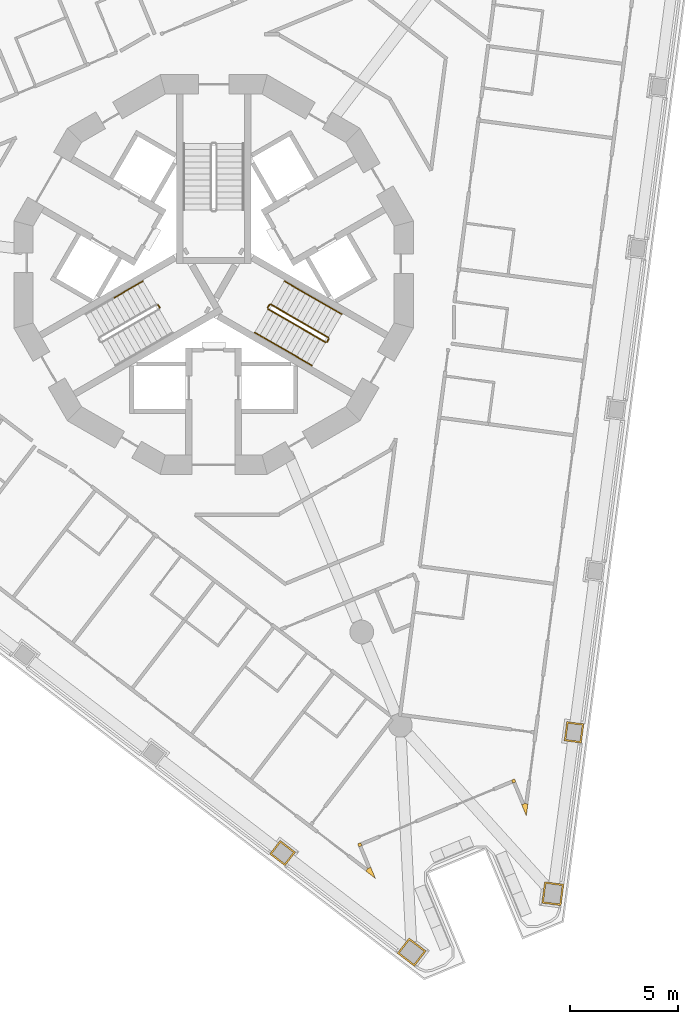
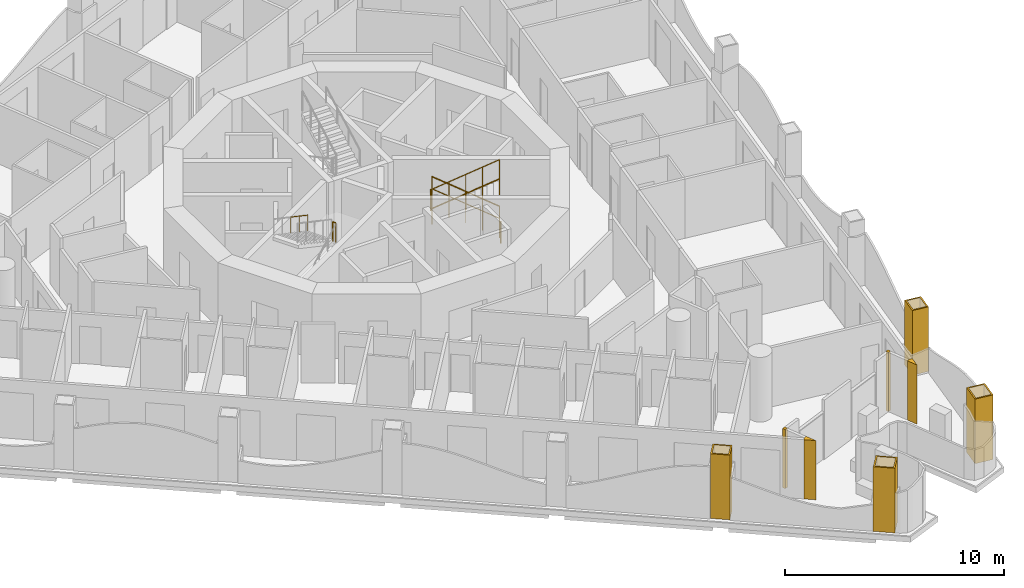
# One storey, part 13 of 17: 10 railings, 8 coverings.
"""IFC4 building model written with IfcOpenShell, lengths in metres."""

from ifc_helpers import new_model, si_unit, direction, frame, origin, origin_2d, place, context, subcontext, project, spatial, polyline, circle, outline, extrude, material, layer, layer_set, type_object, element, save


model = new_model("IFC4")

# Units and contexts
model_context = context("Model", 3, precision=1e-05, world=origin(), true_north=direction((0.0, 1.0)))
body_context = subcontext(model_context, "Body", "Model", "MODEL_VIEW")
ifc_project = project(units=[si_unit("LENGTHUNIT", "METRE"), si_unit("AREAUNIT", "SQUARE_METRE"), si_unit("VOLUMEUNIT", "CUBIC_METRE"), si_unit("PLANEANGLEUNIT", "RADIAN"), si_unit("MASSUNIT", "GRAM", prefix="KILO")], contexts=[model_context])

# Site, building, storey
site_placement = place(None, origin())
site = spatial("IfcSite", under=ifc_project, at=site_placement, CompositionType="ELEMENT")
building_placement = place(site_placement, origin())
building = spatial("IfcBuilding", under=site, at=building_placement, Name="Trine Commons Tower", CompositionType="ELEMENT")
storey_placement = place(building_placement, frame((0.0, 0.0, 149.39990234375)))
storey = spatial("IfcBuildingStorey", under=building, at=storey_placement, Name="L38", CompositionType="ELEMENT", Elevation=149.39990234375)

# Coverings
ifc_material_1 = material(Name="Aluminium-framed insulated wall panel", Category="aluminium")
ifc_layer_1 = layer(ifc_material_1, 0.14990234375)
ifc_layer_set_1 = layer_set([ifc_layer_1], Name="Aluminium-framed insulated wall panel")
covering_type_1 = type_object("IfcCoveringType", Name="Glazing corner post, aluminium", PredefinedType="CLADDING", material=ifc_layer_set_1)
covering_1_placement = place(storey_placement, origin())
element("IfcCovering", 1, at=covering_1_placement, inside=storey, type_object=covering_type_1, Name="Glazing corner post 4-09", PredefinedType="CLADDING", context=body_context, shape_type="SweptSolid", body=[
    extrude(outline(polyline([(94.2939453125, 37.89501953125), (94.50830078125, 37.377685546875), (94.581298828125, 37.932861328125), (94.4326171875, 37.952392578125), (94.4326171875, 37.952392578125), (94.2939453125, 37.89501953125)])), origin(), (0.0, 0.0, 1.0), 3.300048828125),
])
covering_2_placement = place(storey_placement, origin())
element("IfcCovering", 2, at=covering_2_placement, inside=storey, type_object=covering_type_1, Name="Glazing corner post 4-10", PredefinedType="CLADDING", context=body_context, shape_type="SweptSolid", body=[
    extrude(outline(polyline([(93.821044921875, 39.03662109375), (93.87841796875, 38.89794921875), (93.87841796875, 38.89794921875), (94.01708984375, 38.955322265625), (93.959716796875, 39.093994140625), (93.821044921875, 39.03662109375)])), origin(), (0.0, 0.0, 1.0), 3.300048828125),
])
covering_3_placement = place(storey_placement, origin())
element("IfcCovering", 3, at=covering_3_placement, inside=storey, type_object=covering_type_1, Name="Glazing corner post 4-11", PredefinedType="CLADDING", context=body_context, shape_type="SweptSolid", body=[
    extrude(outline(polyline([(86.73681640625, 35.93994140625), (86.87548828125, 35.997314453125), (86.818115234375, 36.135986328125), (86.679443359375, 36.07861328125), (86.73681640625, 35.93994140625)])), origin(), (0.0, 0.0, 1.0), 3.300048828125),
])
covering_4_placement = place(storey_placement, origin())
element("IfcCovering", 4, at=covering_4_placement, inside=storey, type_object=covering_type_1, Name="Glazing corner post 4-12", PredefinedType="CLADDING", context=body_context, shape_type="SweptSolid", body=[
    extrude(outline(polyline([(87.06103515625, 34.81787109375), (87.505126953125, 34.47705078125), (87.291015625, 34.994140625), (87.15234375, 34.936767578125), (87.06103515625, 34.81787109375)])), origin(), (0.0, 0.0, 1.0), 3.300048828125),
])
ifc_material_2 = material(Name="Limestone, honed", Category="masonry")
ifc_layer_2 = layer(ifc_material_2, 0.074951171875)
ifc_layer_set_2 = layer_set([ifc_layer_2], Name="Limestone, honed")
covering_type_2 = type_object("IfcCoveringType", Name="Limestone column cladding 75", PredefinedType="CLADDING", material=ifc_layer_set_2)
covering_5_placement = place(storey_placement, origin())
element("IfcCovering", 5, at=covering_5_placement, inside=storey, type_object=covering_type_2, Name="Limestone pier cladding 4-01", PredefinedType="CLADDING", context=body_context, shape_type="SweptSolid", body=[
    extrude(outline(polyline([(89.065673828125, 31.716796875), (88.517578125, 31.002685546875), (89.31103515625, 30.39404296875), (89.85888671875, 31.10791015625), (89.065673828125, 31.716796875)]), holes=[polyline([(89.079345703125, 31.611572265625), (88.622802734375, 31.0166015625), (89.297119140625, 30.499267578125), (89.75390625, 31.09423828125), (89.079345703125, 31.611572265625)])]), origin(), (0.0, 0.0, 1.0), 3.60009765625),
])
covering_6_placement = place(storey_placement, origin())
element("IfcCovering", 6, at=covering_6_placement, inside=storey, type_object=covering_type_2, Name="Limestone pier cladding 4-02", PredefinedType="CLADDING", context=body_context, shape_type="SweptSolid", body=[
    extrude(outline(polyline([(83.08349609375, 36.243896484375), (82.596435546875, 35.609375), (83.310302734375, 35.061279296875), (83.79736328125, 35.696044921875), (83.08349609375, 36.243896484375)]), holes=[polyline([(83.09716796875, 36.138916015625), (82.701416015625, 35.623046875), (83.296630859375, 35.16650390625), (83.6923828125, 35.682373046875), (83.09716796875, 36.138916015625)])]), origin(), (0.0, 0.0, 1.0), 3.60009765625),
])
covering_7_placement = place(storey_placement, origin())
element("IfcCovering", 7, at=covering_7_placement, inside=storey, type_object=covering_type_2, Name="Limestone pier cladding 4-23", PredefinedType="CLADDING", context=body_context, shape_type="SweptSolid", body=[
    extrude(outline(polyline([(97.1787109375, 41.6494140625), (96.385498046875, 41.75390625), (96.26806640625, 40.86181640625), (97.06103515625, 40.757080078125), (97.1787109375, 41.6494140625)]), holes=[polyline([(97.094482421875, 41.5849609375), (96.449951171875, 41.669921875), (96.35205078125, 40.92626953125), (96.99658203125, 40.84130859375), (97.094482421875, 41.5849609375)])]), origin(), (0.0, 0.0, 1.0), 3.60009765625),
])
covering_8_placement = place(storey_placement, origin())
element("IfcCovering", 8, at=covering_8_placement, inside=storey, type_object=covering_type_2, Name="Limestone pier cladding 4-24", PredefinedType="CLADDING", context=body_context, shape_type="SweptSolid", body=[
    extrude(outline(polyline([(96.2490234375, 34.205078125), (95.356689453125, 34.32275390625), (95.226318359375, 33.331298828125), (96.118408203125, 33.213623046875), (96.2490234375, 34.205078125)]), holes=[polyline([(96.164794921875, 34.140625), (95.42138671875, 34.238525390625), (95.310302734375, 33.395751953125), (96.053955078125, 33.2978515625), (96.164794921875, 34.140625)])]), origin(), (0.0, 0.0, 1.0), 3.60009765625),
])

# Railings
ifc_material_3 = material(Name="Stainless steel balustrade", Category="steel")
railing_type_1 = type_object("IfcRailingType", Name="Stair guard, steel balustrade 1100", PredefinedType="GUARDRAIL", material=ifc_material_3)
railing_1_placement = place(storey_placement, frame((77.490966796875, 60.96484375, 1.800048828125)))
element("IfcRailing", 9, at=railing_1_placement, inside=storey, type_object=railing_type_1, Name="L38 ST2B stair guard 2", PredefinedType="GUARDRAIL", context=body_context, shape_type="SweptSolid", body=[
    extrude(circle(Radius=0.02392578125, at=origin_2d()), frame((0.0, 0.0, 1.076171875), z_axis=(-0.501036270542, 0.865426285481, 0.0), x_axis=(-0.865426285481, -0.501036270542, 0.0)), (0.0, 0.0, 1.0), 0.150146484375),
    extrude(circle(Radius=0.02099609375, at=origin_2d()), origin(), (0.0, 0.0, 1.0), 1.052001953125),
    extrude(circle(Radius=0.02099609375, at=origin_2d()), frame((-0.0751953125, 0.1298828125, 0.0)), (0.0, 0.0, 1.0), 1.052001953125),
])
railing_2_placement = place(storey_placement, frame((85.31982421875, 59.572998046875, 0.150146484375)))
element("IfcRailing", 10, at=railing_2_placement, inside=storey, type_object=railing_type_1, Name="L38 ST3B stair guard 1", PredefinedType="GUARDRAIL", context=body_context, shape_type="SweptSolid", body=[
    extrude(circle(Radius=0.02392578125, at=origin_2d()), frame((0.0, 0.0, 1.076171875), z_axis=(-0.76340495495, 0.440743040072, 0.472184759798), x_axis=(-0.499992328818, -0.866029832698, 0.0)), (0.0, 0.0, 1.0), 3.494140625),
    extrude(circle(Radius=0.02099609375, at=origin_2d()), origin(), (0.0, 0.0, 1.0), 1.052001953125),
    extrude(circle(Radius=0.02099609375, at=origin_2d()), frame((-0.6669921875, 0.385009765625, 0.41259765625)), (0.0, 0.0, 1.0), 1.052001953125),
    extrude(circle(Radius=0.02099609375, at=origin_2d()), frame((-1.333740234375, 0.77001953125, 0.824951171875)), (0.0, 0.0, 1.0), 1.052001953125),
    extrude(circle(Radius=0.02099609375, at=origin_2d()), frame((-2.00048828125, 1.155029296875, 1.2373046875)), (0.0, 0.0, 1.0), 1.052001953125),
    extrude(circle(Radius=0.02099609375, at=origin_2d()), frame((-2.66748046875, 1.5400390625, 1.64990234375)), (0.0, 0.0, 1.0), 1.052001953125),
])
railing_3_placement = place(storey_placement, frame((82.584228515625, 61.0947265625, 1.800048828125)))
element("IfcRailing", 11, at=railing_3_placement, inside=storey, type_object=railing_type_1, Name="L38 ST3B stair guard 2", PredefinedType="GUARDRAIL", context=body_context, shape_type="SweptSolid", body=[
    extrude(circle(Radius=0.02392578125, at=origin_2d()), frame((0.0, 0.0, 1.076171875), z_axis=(-0.501036270542, -0.865426285481, 0.0), x_axis=(0.865426285481, -0.501036270542, 0.0)), (0.0, 0.0, 1.0), 0.150146484375),
    extrude(circle(Radius=0.02099609375, at=origin_2d()), origin(), (0.0, 0.0, 1.0), 1.052001953125),
    extrude(circle(Radius=0.02099609375, at=origin_2d()), frame((-0.0751953125, -0.1298828125, 0.0)), (0.0, 0.0, 1.0), 1.052001953125),
])
railing_4_placement = place(storey_placement, frame((82.52734375, 60.896484375, 1.9501953125)))
element("IfcRailing", 12, at=railing_4_placement, inside=storey, type_object=railing_type_1, Name="L38 ST3B stair guard 3", PredefinedType="GUARDRAIL", context=body_context, shape_type="SweptSolid", body=[
    extrude(circle(Radius=0.02392578125, at=origin_2d()), frame((0.0, 0.0, 1.076171875), z_axis=(0.76340495495, -0.440743040072, 0.472184759798), x_axis=(0.499992328818, 0.866029832698, 0.0)), (0.0, 0.0, 1.0), 3.494140625),
    extrude(circle(Radius=0.02099609375, at=origin_2d()), origin(), (0.0, 0.0, 1.0), 1.052001953125),
    extrude(circle(Radius=0.02099609375, at=origin_2d()), frame((0.6669921875, -0.385009765625, 0.41259765625)), (0.0, 0.0, 1.0), 1.052001953125),
    extrude(circle(Radius=0.02099609375, at=origin_2d()), frame((1.333740234375, -0.77001953125, 0.824951171875)), (0.0, 0.0, 1.0), 1.052001953125),
    extrude(circle(Radius=0.02099609375, at=origin_2d()), frame((2.00048828125, -1.155029296875, 1.2373046875)), (0.0, 0.0, 1.0), 1.052001953125),
    extrude(circle(Radius=0.02099609375, at=origin_2d()), frame((2.66748046875, -1.5400390625, 1.64990234375)), (0.0, 0.0, 1.0), 1.052001953125),
])
railing_5_placement = place(storey_placement, frame((85.338134765625, 59.504638671875, 0.0)))
element("IfcRailing", 13, at=railing_5_placement, inside=storey, type_object=railing_type_1, Name="L38 ST3B stair guard 4", PredefinedType="GUARDRAIL", context=body_context, shape_type="SweptSolid", body=[
    extrude(circle(Radius=0.02392578125, at=origin_2d()), frame((0.0, 0.0, 1.076171875), z_axis=(-0.499816412211, -0.866131372301, 0.0), x_axis=(0.866131372301, -0.499816412211, 0.0)), (0.0, 0.0, 1.0), 0.14990234375),
    extrude(circle(Radius=0.02099609375, at=origin_2d()), origin(), (0.0, 0.0, 1.0), 1.052001953125),
    extrude(circle(Radius=0.02099609375, at=origin_2d()), frame((-0.074951171875, -0.1298828125, 0.0)), (0.0, 0.0, 1.0), 1.052001953125),
])
ifc_material_4 = material(Name="Stainless steel handrail", Category="steel")
railing_type_2 = type_object("IfcRailingType", Name="Stair handrail, steel 900", PredefinedType="HANDRAIL", material=ifc_material_4)
railing_6_placement = place(storey_placement, frame((76.72265625, 62.195556640625, 1.9501953125)))
element("IfcRailing", 14, at=railing_6_placement, inside=storey, type_object=railing_type_2, Name="L38 ST2B stair handrail 3", PredefinedType="HANDRAIL", context=body_context, shape_type="SweptSolid", body=[
    extrude(circle(Radius=0.02099609375, at=origin_2d()), frame((0.0, 0.0, 0.87890625), z_axis=(-0.76340495495, -0.440743040072, 0.472184759798), x_axis=(0.499992328818, -0.866029832698, 0.0)), (0.0, 0.0, 1.0), 1.7470703125),
    extrude(circle(Radius=0.01513671875, at=origin_2d()), origin(), (0.0, 0.0, 1.0), 0.85791015625),
    extrude(circle(Radius=0.01513671875, at=origin_2d()), frame((-0.6669921875, -0.385009765625, 0.41259765625)), (0.0, 0.0, 1.0), 0.85791015625),
    extrude(circle(Radius=0.01513671875, at=origin_2d()), frame((-1.333740234375, -0.77001953125, 0.824951171875)), (0.0, 0.0, 1.0), 0.85791015625),
])
for number, where, name in (
    (15, (85.94482421875, 60.655517578125, 0.150146484375), "L38 ST3B stair handrail 1"),
    (16, (84.611083984375, 61.425537109375, 0.97509765625), "L38 ST3B stair handrail 2"),
):
    element("IfcRailing", number, at=place(storey_placement, frame(where)), inside=storey, type_object=railing_type_2, Name=name, PredefinedType="HANDRAIL", context=body_context, shape_type="SweptSolid", body=[
        extrude(circle(Radius=0.02099609375, at=origin_2d()), frame((0.0, 0.0, 0.87890625), z_axis=(-0.76340495495, 0.440743040072, 0.472184759798), x_axis=(-0.499992328818, -0.866029832698, 0.0)), (0.0, 0.0, 1.0), 1.7470703125),
        extrude(circle(Radius=0.01513671875, at=origin_2d()), origin(), (0.0, 0.0, 1.0), 0.85791015625),
        extrude(circle(Radius=0.01513671875, at=origin_2d()), frame((-0.6669921875, 0.385009765625, 0.41259765625)), (0.0, 0.0, 1.0), 0.85791015625),
        extrude(circle(Radius=0.01513671875, at=origin_2d()), frame((-1.333740234375, 0.77001953125, 0.824951171875)), (0.0, 0.0, 1.0), 0.85791015625),
    ])
for number, where, name in (
    (17, (81.90234375, 59.81396484375, 1.9501953125), "L38 ST3B stair handrail 3"),
    (18, (83.236083984375, 59.0439453125, 2.775146484375), "L38 ST3B stair handrail 4"),
):
    element("IfcRailing", number, at=place(storey_placement, frame(where)), inside=storey, type_object=railing_type_2, Name=name, PredefinedType="HANDRAIL", context=body_context, shape_type="SweptSolid", body=[
        extrude(circle(Radius=0.02099609375, at=origin_2d()), frame((0.0, 0.0, 0.87890625), z_axis=(0.76340495495, -0.440743040072, 0.472184759798), x_axis=(0.499992328818, 0.866029832698, 0.0)), (0.0, 0.0, 1.0), 1.7470703125),
        extrude(circle(Radius=0.01513671875, at=origin_2d()), origin(), (0.0, 0.0, 1.0), 0.85791015625),
        extrude(circle(Radius=0.01513671875, at=origin_2d()), frame((0.6669921875, -0.385009765625, 0.41259765625)), (0.0, 0.0, 1.0), 0.85791015625),
        extrude(circle(Radius=0.01513671875, at=origin_2d()), frame((1.333740234375, -0.77001953125, 0.824951171875)), (0.0, 0.0, 1.0), 0.85791015625),
    ])

save(model, "model.ifc")
